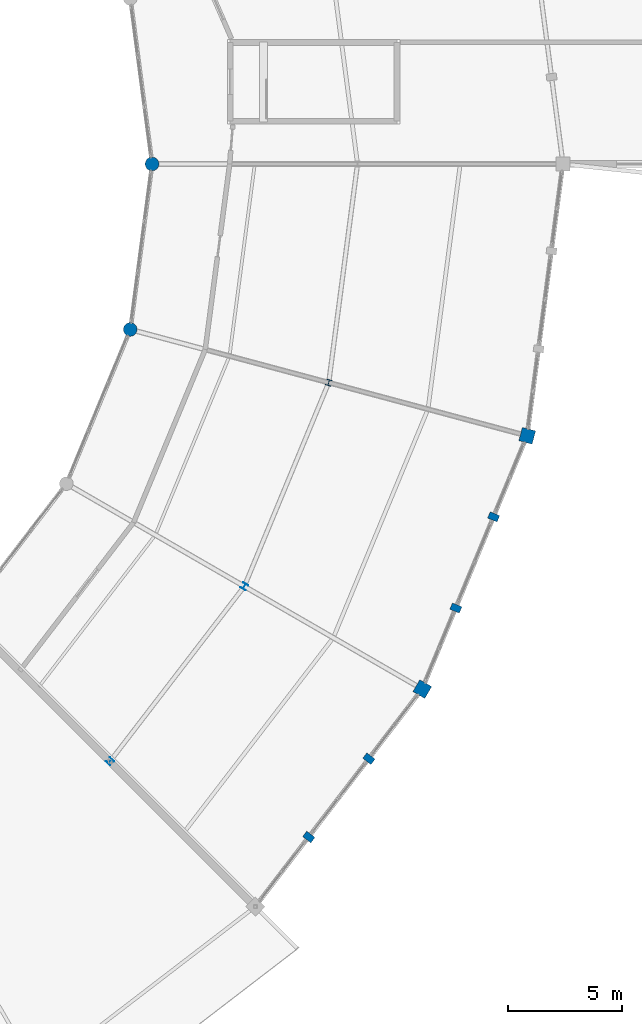
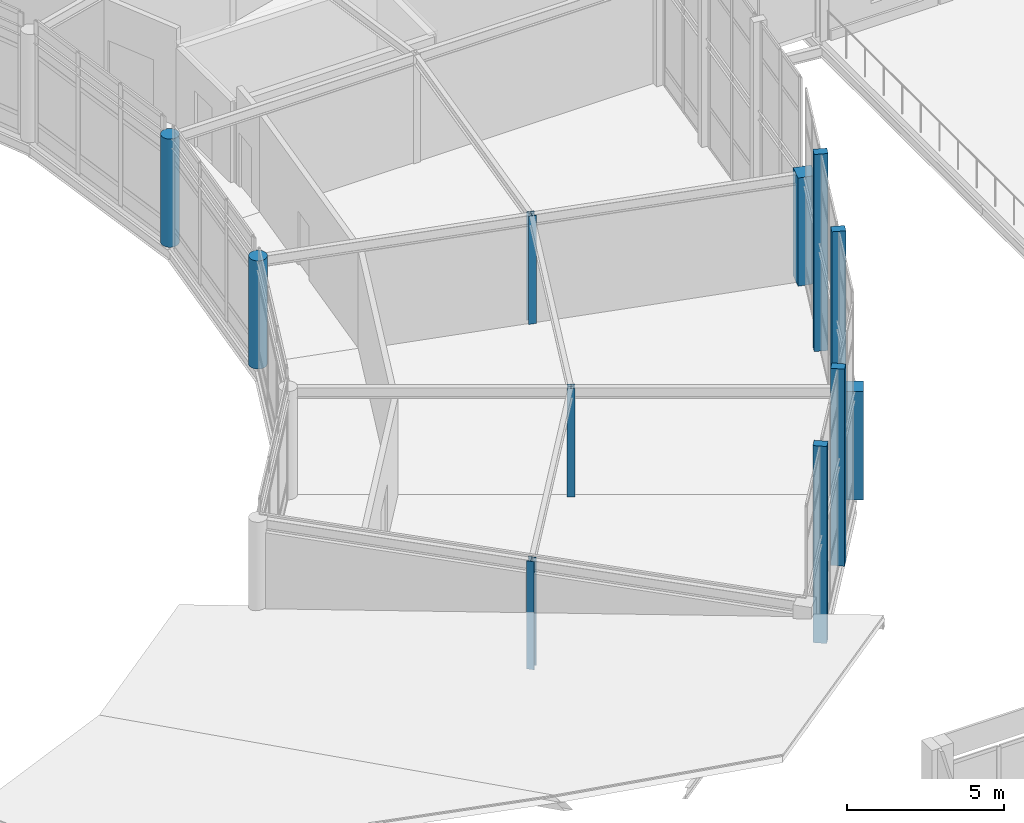
# One storey, part 15 of 185: 11 columns.
"""IFC4 building model written with IfcOpenShell, lengths in metres."""

from ifc_helpers import new_model, si_unit, direction, frame, origin, origin_2d, place, context, subcontext, project, spatial, rectangle, circle, i_section, extrude, material, material_profile, profile_set, type_object, element, save


model = new_model("IFC4")

# Units and contexts
model_context = context("Model", 3, precision=1e-05, world=origin(), true_north=direction((0.0, 1.0)))
body_context = subcontext(model_context, "Body", "Model", "MODEL_VIEW")
ifc_project = project(units=[si_unit("LENGTHUNIT", "METRE"), si_unit("AREAUNIT", "SQUARE_METRE"), si_unit("VOLUMEUNIT", "CUBIC_METRE"), si_unit("PLANEANGLEUNIT", "RADIAN"), si_unit("MASSUNIT", "GRAM", prefix="KILO")], contexts=[model_context])

# Site, building, storey
site_placement = place(None, origin())
site = spatial("IfcSite", under=ifc_project, at=site_placement, CompositionType="ELEMENT")
building_placement = place(site_placement, origin())
building = spatial("IfcBuilding", under=site, at=building_placement, Name="Vondelvale Polytechnic", CompositionType="ELEMENT")
storey_placement = place(building_placement, frame((0.0, 0.0, 9.60009765625)))
storey = spatial("IfcBuildingStorey", under=building, at=storey_placement, Name="L02", CompositionType="ELEMENT", Elevation=9.60009765625)

# Columns
ifc_material_1 = material(Name="Glulam GL18 structural Tasmanian oak (fb = 42 MPa)", Category="wood")
ifc_material_profile_1 = material_profile(ifc_material_1, rectangle(XDim=0.300048828125, YDim=0.449951171875, at=origin_2d()), Name="GL-POST-300x450")
ifc_profile_set_1 = profile_set([ifc_material_profile_1], Name="Glulam GL18 structural Tasmanian oak (fb = 42 MPa)")
column_type_1 = type_object("IfcColumnType", Name="COL-GLULAM-300x450", PredefinedType="PILASTER", material=ifc_profile_set_1)
for number, where, z_axis, x_axis, name in (
    (1, (136.8662109375, 42.521728515625, 0.0), (0.0, 0.0, 1.0), (0.608761429009, 0.793353340291, 0.0), "L02 ring outer glulam timber post C21-P1"),
    (2, (139.497802734375, 45.951416015625, 0.0), (0.0, 0.0, 1.0), (0.608761429009, 0.793353340291, 0.0), "L02 ring outer glulam timber post C21-P2"),
    (3, (143.3076171875, 52.55029296875, 0.0), (0.0, 0.0, 1.0), (0.382683432365, 0.923879532511, 0.0), "L02 ring outer glulam timber post C22-P1"),
    (4, (144.962158203125, 56.544189453125, 0.0), (0.0, 0.0, 1.0), (0.382683432365, 0.923879532511, 0.0), "L02 ring outer glulam timber post C22-P2"),
):
    element("IfcColumn", number, at=place(storey_placement, frame(where, z_axis=z_axis, x_axis=x_axis)), inside=storey, type_object=column_type_1, Name=name, PredefinedType="PILASTER", context=body_context, shape_type="SweptSolid", body=[
        extrude(rectangle(XDim=0.300048828125, YDim=0.449951171875, at=origin_2d()), origin(), (0.0, 0.0, 1.0), 7.6513671875),
    ])
ifc_material_2 = material(Name="Concrete N50 (f'c = 50 MPa)", Category="concrete")
ifc_material_profile_2 = material_profile(ifc_material_2, rectangle(XDim=0.60009765625, YDim=0.60009765625, at=origin_2d()), Name="RC-COL-600x600")
ifc_profile_set_2 = profile_set([ifc_material_profile_2], Name="Concrete N50 (f'c = 50 MPa)")
column_type_2 = type_object("IfcColumnType", Name="COL-RC600", PredefinedType="COLUMN", material=ifc_profile_set_2)
for number, where, z_axis, x_axis, name in (
    (5, (141.837158203125, 49.0, 0.0), (0.0, 0.0, 1.0), (-0.866025403784, 0.5, 0.0), "L02 courtyard ring column S22-RO"),
    (6, (146.4326171875, 60.09423828125, 0.0), (0.0, 0.0, 1.0), (-0.965925826289, 0.258819045103, 0.0), "L02 courtyard ring column S23-RO"),
):
    element("IfcColumn", number, at=place(storey_placement, frame(where, z_axis=z_axis, x_axis=x_axis)), inside=storey, type_object=column_type_2, Name=name, PredefinedType="COLUMN", context=body_context, shape_type="SweptSolid", body=[
        extrude(rectangle(XDim=0.60009765625, YDim=0.60009765625, at=origin_2d()), origin(), (0.0, 0.0, 1.0), 4.199951171875),
    ])
ifc_material_profile_3 = material_profile(ifc_material_2, circle(Radius=0.300048828125, at=origin_2d()), Name="RC-COL-D600")
ifc_profile_set_3 = profile_set([ifc_material_profile_3], Name="Concrete N50 (f'c = 50 MPa)")
column_type_3 = type_object("IfcColumnType", Name="COL-RCD600", PredefinedType="COLUMN", material=ifc_profile_set_3)
for number, where, z_axis, x_axis, name in (
    (7, (130.0, 72.0, 0.0), (0.0, 0.0, 1.0), (1.0, 0.0, 0.0), "L02 courtyard ring column S00-RI"),
    (8, (129.0458984375, 64.753173828125, 0.0), (0.0, 0.0, 1.0), (-0.965925826289, 0.258819045103, 0.0), "L02 courtyard ring column S23-RI"),
):
    element("IfcColumn", number, at=place(storey_placement, frame(where, z_axis=z_axis, x_axis=x_axis)), inside=storey, type_object=column_type_3, Name=name, PredefinedType="COLUMN", context=body_context, shape_type="SweptSolid", body=[
        extrude(circle(Radius=0.300048828125, at=origin_2d()), origin(), (0.0, 0.0, 1.0), 4.199951171875),
    ])
ifc_material_3 = material(Name="Steel 300PLUS (fy = 300 MPa)", Category="steel")
ifc_material_profile_4 = material_profile(ifc_material_3, i_section(OverallWidth=0.256103515625, OverallDepth=0.260009765625, WebThickness=0.010498046875, FlangeThickness=0.017333984375, FilletRadius=0.013916015625, at=origin_2d()), Name="250UC89.5")
ifc_profile_set_4 = profile_set([ifc_material_profile_4], Name="Steel 300PLUS (fy = 300 MPa)")
column_type_4 = type_object("IfcColumnType", Name="COL-UC250", PredefinedType="COLUMN", material=ifc_profile_set_4)
for number, where, z_axis, x_axis, name in (
    (9, (128.1630859375, 45.8369140625, 0.0), (0.0, 0.0, 1.0), (-0.707106781187, 0.707106781187, 0.0), "L02 courtyard ring column S21-RM"),
    (10, (134.04296875, 53.5, 0.0), (0.0, 0.0, 1.0), (-0.866025403784, 0.5, 0.0), "L02 courtyard ring column S22-RM"),
    (11, (137.7392578125, 62.423583984375, 0.0), (0.0, 0.0, 1.0), (-0.965925826289, 0.258819045103, 0.0), "L02 courtyard ring column S23-RM"),
):
    element("IfcColumn", number, at=place(storey_placement, frame(where, z_axis=z_axis, x_axis=x_axis)), inside=storey, type_object=column_type_4, Name=name, PredefinedType="COLUMN", context=body_context, shape_type="SweptSolid", body=[
        extrude(i_section(OverallWidth=0.256103515625, OverallDepth=0.260009765625, WebThickness=0.010498046875, FlangeThickness=0.017333984375, FilletRadius=0.013916015625, at=origin_2d()), origin(), (0.0, 0.0, 1.0), 4.199951171875),
    ])

save(model, "model.ifc")
